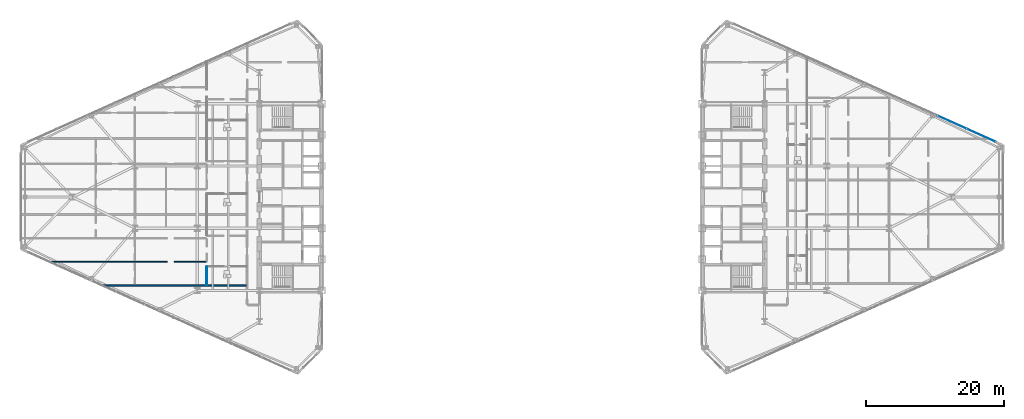
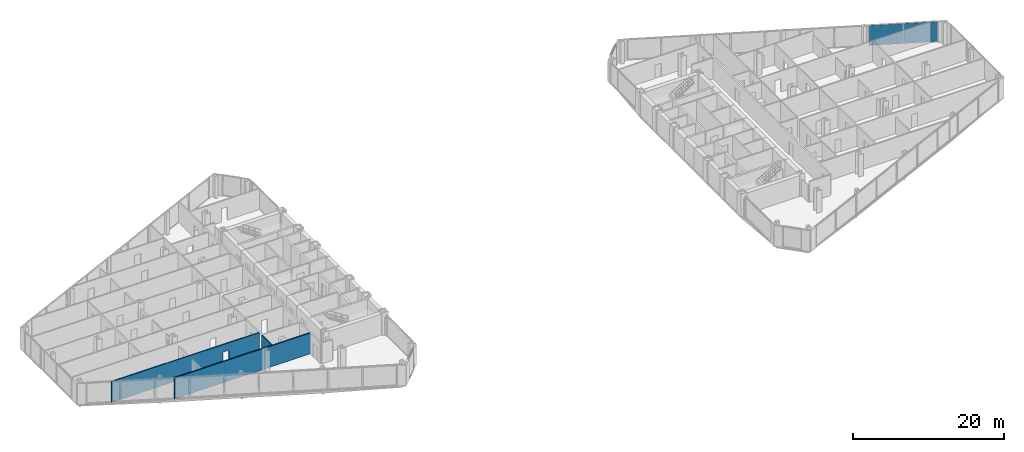
# One storey, part 18 of 27: 3 walls, 2 plates, 1 opening, 1 element without a shape of its own.
"""IFC4 building model written with IfcOpenShell, lengths in metres."""

from ifc_helpers import new_model, si_unit, direction, frame, frame_2d, origin, origin_2d, place, context, subcontext, project, spatial, rectangle, extrude, source, transform, mapped, material, layer, layer_set, type_object, type_shapes, element, aggregate, save


model = new_model("IFC4")

# Units and contexts
model_context = context("Model", 3, precision=1e-05, world=origin(), true_north=direction((0.0, 1.0)))
body_context = subcontext(model_context, "Body", "Model", "MODEL_VIEW")
ifc_project = project(units=[si_unit("LENGTHUNIT", "METRE"), si_unit("AREAUNIT", "SQUARE_METRE"), si_unit("VOLUMEUNIT", "CUBIC_METRE"), si_unit("PLANEANGLEUNIT", "RADIAN"), si_unit("MASSUNIT", "GRAM", prefix="KILO")], contexts=[model_context])

# Site, building, storey
site_placement = place(None, origin())
site = spatial("IfcSite", under=ifc_project, at=site_placement, CompositionType="ELEMENT")
building_placement = place(site_placement, origin())
building = spatial("IfcBuilding", under=site, at=building_placement, Name="Seokmaru Belvedere", CompositionType="ELEMENT")
storey_placement = place(building_placement, frame((0.0, 0.0, 92.39990234375)))
storey = spatial("IfcBuildingStorey", under=building, at=storey_placement, Name="L24", CompositionType="ELEMENT", Elevation=92.39990234375)

# Curtain wall, plates
ifc_material_1 = material(Name="Bronze Triple Insulating Glass", Category="glass")
ifc_layer_1 = layer(ifc_material_1, 0.195068359375)
ifc_layer_set_1 = layer_set([ifc_layer_1], Name="Bronze Triple Insulating Glass")
curtain_wall_type = type_object("IfcCurtainWallType", Name="Lower-Mid Tapered Curtain Wall System CW-3", PredefinedType="NOTDEFINED", material=ifc_layer_set_1)
curtain_wall_placement = place(storey_placement, origin())
curtain_wall = element("IfcCurtainWall", 1, at=curtain_wall_placement, inside=storey, type_object=curtain_wall_type, Name="L24 Curtain Wall EF3", PredefinedType="NOTDEFINED")
ifc_layer_2 = layer(ifc_material_1, 0.035888671875)
ifc_layer_set_2 = layer_set([ifc_layer_2], Name="Bronze Triple Insulating Glass")
plate_type = type_object("IfcPlateType", Name="Bronze Triple Vision Glazing Panel 36", PredefinedType="CURTAIN_PANEL", material=ifc_layer_set_2)
shared_shape_1 = source(origin(), body_context, "Body", "SweptSolid", [
    extrude(rectangle(XDim=4.51318359375, YDim=0.035888671875, at=origin_2d()), origin(), (0.0, 0.0, 1.0), 3.239990234375),
])
plate_1_placement = place(storey_placement, frame((67.82958984375, 8.926513671875, 0.0703125), z_axis=(0.0, 0.0, 1.0), x_axis=(-0.91192111353, 0.41036554765, 0.0)))
plate_1 = element("IfcPlate", 2, at=plate_1_placement, type_object=plate_type, Name="CW:L24:EF3 Glazing Panel 1-1", PredefinedType="CURTAIN_PANEL", context=body_context, shape_type="MappedRepresentation", body=[
    mapped(shared_shape_1, transform((0.0, 0.0, 0.0), scale=1.0)),
])
shared_shape_2 = source(origin(), body_context, "Body", "SweptSolid", [
    extrude(rectangle(XDim=4.548095703125, YDim=0.035888671875, at=origin_2d()), origin(), (0.0, 0.0, 1.0), 3.239990234375),
])
type_shapes(plate_type, [shared_shape_1, shared_shape_2])
plate_2_placement = place(storey_placement, frame((63.63427734375, 10.814697265625, 0.0703125), z_axis=(0.0, 0.0, 1.0), x_axis=(-0.91192111353, 0.41036554765, 0.0)))
plate_2 = element("IfcPlate", 3, at=plate_2_placement, type_object=plate_type, Name="CW:L24:EF3 Glazing Panel 2-1", PredefinedType="CURTAIN_PANEL", context=body_context, shape_type="MappedRepresentation", body=[
    mapped(shared_shape_2, transform((0.0, 0.0, 0.0), scale=1.0)),
])
aggregate(curtain_wall, [plate_1, plate_2])

# Wall, opening
ifc_material_2 = material(Name="Fire-Rated Gypsum Shaftwall")
ifc_layer_3 = layer(ifc_material_2, 0.14990234375)
ifc_layer_set_3 = layer_set([ifc_layer_3], Name="Fire-Rated Gypsum Shaftwall")
wall_type_1 = type_object("IfcWallType", Name="Apartment Fire-Acoustic Room Partition 150", PredefinedType="PARTITIONING", material=ifc_layer_set_3)
wall_1_placement = place(storey_placement, frame((-66.886962890625, -9.3701171875, 0.0), z_axis=(0.0, 0.0, 1.0), x_axis=(1.0, 0.0, 0.0)))
wall_1 = element("IfcWall", 4, at=wall_1_placement, inside=storey, type_object=wall_type_1, Name="L24 Interior Partition 006", PredefinedType="PARTITIONING", context=body_context, shape_type="SweptSolid", body=[
    extrude(rectangle(XDim=22.68701171875, YDim=0.14990234375, at=frame_2d((11.343505859375, 0.0))), origin(), (0.0, 0.0, 1.0), 3.380126953125),
])
opening_placement = place(wall_1_placement, frame((17.0869140625, 0.0, 0.0)))
element("IfcOpeningElement", 5, at=opening_placement, cuts=wall_1, Name="L24 Cased Opening 007", PredefinedType="OPENING", context=body_context, shape_type="SweptSolid", body=[
    extrude(rectangle(XDim=0.949951171875, YDim=2.14990234375, at=frame_2d((0.47509765625, 1.074951171875))), frame((0.0, 0.0849609375, 0.0), z_axis=(0.0, -1.0, 0.0), x_axis=(1.0, 0.0, 0.0)), (0.0, 0.0, 1.0), 0.169921875),
])

# Walls
ifc_layer_4 = layer(ifc_material_2, 0.199951171875)
ifc_layer_set_4 = layer_set([ifc_layer_4], Name="Fire-Rated Gypsum Shaftwall")
wall_type_2 = type_object("IfcWallType", Name="Inter-Tenancy Fire Compartment Partition 200", PredefinedType="PARTITIONING", material=ifc_layer_set_4)
wall_2_placement = place(storey_placement, frame((-59.23388671875, -12.800048828125, 0.0), z_axis=(0.0, 0.0, 1.0), x_axis=(1.0, 0.0, 0.0)))
element("IfcWall", 6, at=wall_2_placement, inside=storey, type_object=wall_type_2, Name="L24 Interior Partition 003", PredefinedType="PARTITIONING", context=body_context, shape_type="SweptSolid", body=[
    extrude(rectangle(XDim=20.85400390625, YDim=0.199951171875, at=frame_2d((10.427001953125, 0.0))), origin(), (0.0, 0.0, 1.0), 3.380126953125),
])
ifc_layer_5 = layer(ifc_material_2, 0.1298828125)
ifc_layer_set_5 = layer_set([ifc_layer_5], Name="Fire-Rated Gypsum Shaftwall")
wall_type_3 = type_object("IfcWallType", Name="Moisture-Resistant Fire-Rated Bathroom Partition 130", PredefinedType="PARTITIONING", material=ifc_layer_set_5)
wall_3_placement = place(storey_placement, frame((-44.14990234375, -12.75, 0.0), z_axis=(0.0, 0.0, 1.0), x_axis=(0.0, 1.0, 0.0)))
element("IfcWall", 7, at=wall_3_placement, inside=storey, type_object=wall_type_3, Name="L24 Interior Partition 034", PredefinedType="PARTITIONING", context=body_context, shape_type="SweptSolid", body=[
    extrude(rectangle(XDim=2.678955078125, YDim=0.1298828125, at=frame_2d((1.33935546875, 0.0))), origin(), (0.0, 0.0, 1.0), 3.380126953125),
])

save(model, "model.ifc")
